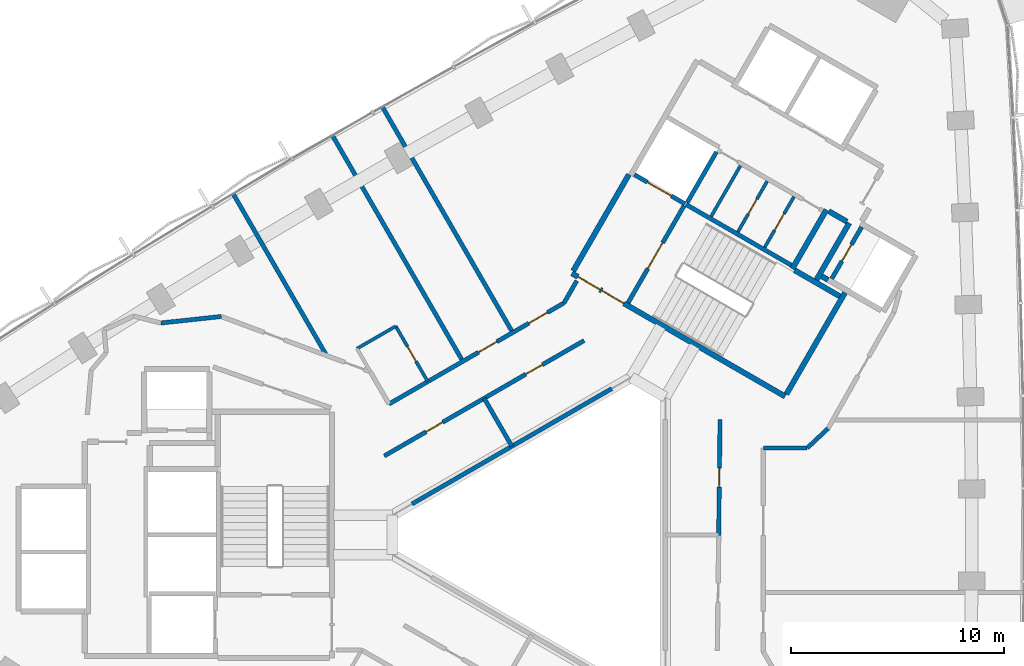
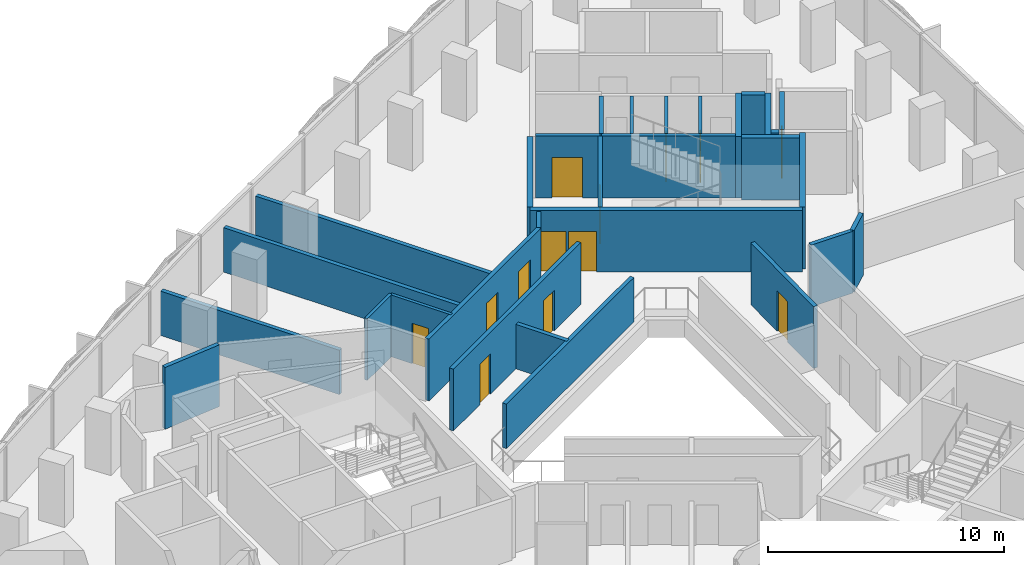
# One storey, part 10 of 14: 30 walls, 13 doors, 13 openings.
"""IFC4 building model written with IfcOpenShell, lengths in metres."""

from ifc_helpers import new_model, si_unit, direction, frame, frame_2d, origin, place, context, subcontext, project, spatial, rectangle, extrude, material, layer, layer_set, type_object, element, fill, save


model = new_model("IFC4")

# Units and contexts
model_context = context("Model", 3, precision=1e-05, world=origin(), true_north=direction((0.0, 1.0)))
body_context = subcontext(model_context, "Body", "Model", "MODEL_VIEW")
ifc_project = project(units=[si_unit("LENGTHUNIT", "METRE"), si_unit("AREAUNIT", "SQUARE_METRE"), si_unit("VOLUMEUNIT", "CUBIC_METRE"), si_unit("PLANEANGLEUNIT", "RADIAN"), si_unit("MASSUNIT", "GRAM", prefix="KILO")], contexts=[model_context])

# Site, building, storey
site_placement = place(None, origin())
site = spatial("IfcSite", under=ifc_project, at=site_placement, CompositionType="ELEMENT")
building_placement = place(site_placement, origin())
building = spatial("IfcBuilding", under=site, at=building_placement, Name="Tamra Quay Hotel Tower", CompositionType="ELEMENT")
storey_placement = place(building_placement, frame((0.0, 0.0, 146.800048828125)))
storey = spatial("IfcBuildingStorey", under=building, at=storey_placement, Name="L36", CompositionType="ELEMENT", Elevation=146.800048828125)

# Wall
ifc_material_1 = material(Name="Concrete M70", Category="concrete")
ifc_layer_1 = layer(ifc_material_1, 0.199951171875)
ifc_layer_set_1 = layer_set([ifc_layer_1], Name="Concrete M70 core wall 200")
wall_type_1 = type_object("IfcWallType", Name="Concrete M70 core wall 200", PredefinedType="SHEAR", material=ifc_layer_set_1)
wall_1_placement = place(storey_placement, frame((5.774658203125, 15.501953125, 0.0), z_axis=(0.0, 0.0, 1.0), x_axis=(0.866020080793, -0.500009219579, 0.0)))
element("IfcWall", 1, at=wall_1_placement, inside=storey, type_object=wall_type_1, Name="CW2", PredefinedType="SHEAR", context=body_context, shape_type="SweptSolid", body=[
    extrude(rectangle(XDim=5.69921875, YDim=0.199951171875, at=frame_2d((2.849609375, 0.0))), origin(), (0.0, 0.0, 1.0), 3.199951171875),
])

# Wall, opening, door
wall_2_placement = place(storey_placement, frame((3.056640625, 10.89453125, 0.0), z_axis=(0.0, 0.0, 1.0), x_axis=(0.499989418164, 0.866031513124, 0.0)))
wall_2 = element("IfcWall", 2, at=wall_2_placement, inside=storey, type_object=wall_type_1, Name="CW2", PredefinedType="SHEAR", context=body_context, shape_type="SweptSolid", body=[
    extrude(rectangle(XDim=5.2509765625, YDim=0.199951171875, at=frame_2d((2.62548828125, 0.0))), origin(), (0.0, 0.0, 1.0), 3.199951171875),
])
opening_1_placement = place(wall_2_placement, frame((1.84912109375, 0.0, 0.0)))
opening_1 = element("IfcOpeningElement", 3, at=opening_1_placement, cuts=wall_2, Name="Opening FD2", PredefinedType="OPENING", context=body_context, shape_type="SweptSolid", body=[
    extrude(rectangle(XDim=1.39990234375, YDim=2.10009765625, at=frame_2d((0.699951171875, 1.050048828125))), frame((0.0, 0.10986328125, 0.0), z_axis=(0.0, -1.0, 0.0), x_axis=(1.0, 0.0, 0.0)), (0.0, 0.0, 1.0), 0.219970703125),
])
ifc_material_2 = material(Name="Core door FD2 1400x2100 RH")
door_type_1 = type_object("IfcDoorType", Name="Core door FD2 1400x2100 RH", OperationType="NOTDEFINED", PredefinedType="DOOR", material=ifc_material_2)
door_1_placement = place(opening_1_placement, origin())
door_1 = element("IfcDoor", 4, at=door_1_placement, inside=storey, type_object=door_type_1, Name="FD2", OperationType="SINGLE_SWING_RIGHT", OverallHeight=2.10009765625, OverallWidth=1.39990234375, PredefinedType="DOOR", context=body_context, shape_type="SweptSolid", body=[
    extrude(rectangle(XDim=1.39990234375, YDim=2.10009765625, at=frame_2d((0.699951171875, 1.050048828125))), frame((0.0, 0.02490234375, 0.0), z_axis=(0.0, -1.0, 0.0), x_axis=(1.0, 0.0, 0.0)), (0.0, 0.0, 1.0), 0.050048828125),
])
fill(opening_1, door_1)

wall_3_placement = place(storey_placement, frame((14.0078125, 14.442138671875, 0.0), z_axis=(0.0, 0.0, 1.0), x_axis=(-0.499986818241, -0.866033014143, 0.0)))
wall_3 = element("IfcWall", 5, at=wall_3_placement, inside=storey, type_object=wall_type_1, Name="CW2", PredefinedType="SHEAR", context=body_context, shape_type="SweptSolid", body=[
    extrude(rectangle(XDim=2.7978515625, YDim=0.199951171875, at=frame_2d((1.39892578125, 0.0))), origin(), (0.0, 0.0, 1.0), 3.199951171875),
])
opening_2_placement = place(wall_3_placement, frame((0.948974609375, 0.0, 0.0)))
opening_2 = element("IfcOpeningElement", 6, at=opening_2_placement, cuts=wall_3, Name="Opening D1", PredefinedType="OPENING", context=body_context, shape_type="SweptSolid", body=[
    extrude(rectangle(XDim=0.89990234375, YDim=2.10009765625, at=frame_2d((0.449951171875, 1.050048828125))), frame((0.0, 0.10986328125, 0.0), z_axis=(0.0, -1.0, 0.0), x_axis=(1.0, 0.0, 0.0)), (0.0, 0.0, 1.0), 0.219970703125),
])
ifc_material_3 = material(Name="Core door D1 900x2100 LH")
door_type_2 = type_object("IfcDoorType", Name="Core door D1 900x2100 LH", OperationType="NOTDEFINED", PredefinedType="DOOR", material=ifc_material_3)
door_2_placement = place(opening_2_placement, origin())
door_2 = element("IfcDoor", 7, at=door_2_placement, inside=storey, type_object=door_type_2, Name="D1", OperationType="SINGLE_SWING_LEFT", OverallHeight=2.10009765625, OverallWidth=0.89990234375, PredefinedType="DOOR", context=body_context, shape_type="SweptSolid", body=[
    extrude(rectangle(XDim=0.89990234375, YDim=2.10009765625, at=frame_2d((0.449951171875, 1.050048828125))), frame((0.0, 0.02490234375, 0.0), z_axis=(0.0, -1.0, 0.0), x_axis=(1.0, 0.0, 0.0)), (0.0, 0.0, 1.0), 0.050048828125),
])
fill(opening_2, door_2)

# Wall
wall_4_placement = place(storey_placement, frame((7.199462890625, 17.969970703125, 0.0), z_axis=(0.0, 0.0, 1.0), x_axis=(-0.499968400327, -0.866043647095, 0.0)))
element("IfcWall", 8, at=wall_4_placement, inside=storey, type_object=wall_type_1, Name="CW2", PredefinedType="SHEAR", context=body_context, shape_type="SweptSolid", body=[
    extrude(rectangle(XDim=2.749755859375, YDim=0.199951171875, at=frame_2d((1.375, 0.0))), origin(), (0.0, 0.0, 1.0), 3.199951171875),
])

# Wall, opening, door
wall_5_placement = place(storey_placement, frame((5.72509765625, 15.530517578125, 0.0), z_axis=(0.0, 0.0, 1.0), x_axis=(-0.866037306777, 0.499979382845, 0.0)))
wall_5 = element("IfcWall", 9, at=wall_5_placement, inside=storey, type_object=wall_type_1, Name="CW2", PredefinedType="SHEAR", context=body_context, shape_type="SweptSolid", body=[
    extrude(rectangle(XDim=2.74169921875, YDim=0.199951171875, at=frame_2d((1.370849609375, 0.0))), origin(), (0.0, 0.0, 1.0), 3.199951171875),
])
opening_3_placement = place(wall_5_placement, frame((0.742919921875, 0.0, 0.0)))
opening_3 = element("IfcOpeningElement", 10, at=opening_3_placement, cuts=wall_5, Name="Opening LD", PredefinedType="OPENING", context=body_context, shape_type="SweptSolid", body=[
    extrude(rectangle(XDim=1.300048828125, YDim=2.10009765625, at=frame_2d((0.64990234375, 1.050048828125))), frame((0.0, 0.10986328125, 0.0), z_axis=(0.0, -1.0, 0.0), x_axis=(1.0, 0.0, 0.0)), (0.0, 0.0, 1.0), 0.219970703125),
])
ifc_material_4 = material(Name="Landing door LD 1300 sliding to right")
door_type_3 = type_object("IfcDoorType", Name="Landing door LD 1300 sliding to right", OperationType="NOTDEFINED", PredefinedType="DOOR", material=ifc_material_4)
door_3_placement = place(opening_3_placement, origin())
door_3 = element("IfcDoor", 11, at=door_3_placement, inside=storey, type_object=door_type_3, Name="LD", OperationType="SLIDING_TO_RIGHT", OverallHeight=2.10009765625, OverallWidth=1.300048828125, PredefinedType="DOOR", context=body_context, shape_type="SweptSolid", body=[
    extrude(rectangle(XDim=1.300048828125, YDim=2.10009765625, at=frame_2d((0.64990234375, 1.050048828125))), frame((0.0, 0.02490234375, 0.0), z_axis=(0.0, -1.0, 0.0), x_axis=(1.0, 0.0, 0.0)), (0.0, 0.0, 1.0), 0.050048828125),
])
fill(opening_3, door_3)

# Wall, openings, doors
ifc_layer_2 = layer(ifc_material_1, 0.25)
ifc_layer_set_2 = layer_set([ifc_layer_2], Name="Concrete M70 core wall 250")
wall_type_2 = type_object("IfcWallType", Name="Concrete M70 core wall 250", PredefinedType="SHEAR", material=ifc_layer_set_2)
wall_6_placement = place(storey_placement, frame((10.419921875, 6.497802734375, 0.0), z_axis=(0.0, 0.0, 1.0), x_axis=(-0.866021906294, 0.500006057782, 0.0)))
wall_6 = element("IfcWall", 12, at=wall_6_placement, inside=storey, type_object=wall_type_2, Name="CW1", PredefinedType="SHEAR", context=body_context, shape_type="SweptSolid", body=[
    extrude(rectangle(XDim=11.550048828125, YDim=0.25, at=frame_2d((5.77490234375, 0.0))), origin(), (0.0, 0.0, 1.0), 3.199951171875),
])
opening_4_placement = place(wall_6_placement, frame((10.02490234375, 0.0, 0.0)))
opening_4 = element("IfcOpeningElement", 13, at=opening_4_placement, cuts=wall_6, Name="Opening FD1", PredefinedType="OPENING", context=body_context, shape_type="SweptSolid", body=[
    extrude(rectangle(XDim=1.199951171875, YDim=2.10009765625, at=frame_2d((0.60009765625, 1.050048828125))), frame((0.0, 0.135009765625, 0.0), z_axis=(0.0, -1.0, 0.0), x_axis=(1.0, 0.0, 0.0)), (0.0, 0.0, 1.0), 0.27001953125),
])
opening_5_placement = place(wall_6_placement, frame((8.724853515625, 0.0, 0.0)))
opening_5 = element("IfcOpeningElement", 14, at=opening_5_placement, cuts=wall_6, Name="Opening FD1", PredefinedType="OPENING", context=body_context, shape_type="SweptSolid", body=[
    extrude(rectangle(XDim=1.199951171875, YDim=2.10009765625, at=frame_2d((0.60009765625, 1.050048828125))), frame((0.0, 0.135009765625, 0.0), z_axis=(0.0, -1.0, 0.0), x_axis=(1.0, 0.0, 0.0)), (0.0, 0.0, 1.0), 0.27001953125),
])
ifc_material_5 = material(Name="Core door FD1 1200x2100 LH")
door_type_4 = type_object("IfcDoorType", Name="Core door FD1 1200x2100 LH", OperationType="NOTDEFINED", PredefinedType="DOOR", material=ifc_material_5)
door_4_placement = place(opening_4_placement, origin())
door_4 = element("IfcDoor", 15, at=door_4_placement, inside=storey, type_object=door_type_4, Name="FD1", OperationType="SINGLE_SWING_LEFT", OverallHeight=2.10009765625, OverallWidth=1.199951171875, PredefinedType="DOOR", context=body_context, shape_type="SweptSolid", body=[
    extrude(rectangle(XDim=1.199951171875, YDim=2.10009765625, at=frame_2d((0.60009765625, 1.050048828125))), frame((0.0, 0.02490234375, 0.0), z_axis=(0.0, -1.0, 0.0), x_axis=(1.0, 0.0, 0.0)), (0.0, 0.0, 1.0), 0.050048828125),
])
fill(opening_4, door_4)
ifc_material_6 = material(Name="Core door FD1 1200x2100 RH")
door_type_5 = type_object("IfcDoorType", Name="Core door FD1 1200x2100 RH", OperationType="NOTDEFINED", PredefinedType="DOOR", material=ifc_material_6)
door_5_placement = place(opening_5_placement, origin())
door_5 = element("IfcDoor", 16, at=door_5_placement, inside=storey, type_object=door_type_5, Name="FD1", OperationType="SINGLE_SWING_RIGHT", OverallHeight=2.10009765625, OverallWidth=1.199951171875, PredefinedType="DOOR", context=body_context, shape_type="SweptSolid", body=[
    extrude(rectangle(XDim=1.199951171875, YDim=2.10009765625, at=frame_2d((0.60009765625, 1.050048828125))), frame((0.0, 0.02490234375, 0.0), z_axis=(0.0, -1.0, 0.0), x_axis=(1.0, 0.0, 0.0)), (0.0, 0.0, 1.0), 0.050048828125),
])
fill(opening_5, door_5)

# Walls
wall_7_placement = place(storey_placement, frame((0.47998046875, 12.38134765625, 0.0), z_axis=(0.0, 0.0, 1.0), x_axis=(0.49999885962, 0.866026062182, 0.0)))
element("IfcWall", 17, at=wall_7_placement, inside=storey, type_object=wall_type_2, Name="CW1", PredefinedType="SHEAR", context=body_context, shape_type="SweptSolid", body=[
    extrude(rectangle(XDim=5.224609375, YDim=0.25, at=frame_2d((2.6123046875, 0.0))), origin(), (0.0, 0.0, 1.0), 3.199951171875),
])
wall_8_placement = place(storey_placement, frame((13.237548828125, 11.3779296875, 0.0), z_axis=(0.0, 0.0, 1.0), x_axis=(-0.500008851346, -0.866020293397, 0.0)))
element("IfcWall", 18, at=wall_8_placement, inside=storey, type_object=wall_type_2, Name="CW1", PredefinedType="SHEAR", context=body_context, shape_type="SweptSolid", body=[
    extrude(rectangle(XDim=5.509765625, YDim=0.25, at=frame_2d((2.7548828125, 0.0))), origin(), (0.0, 0.0, 1.0), 3.199951171875),
])
wall_9_placement = place(storey_placement, frame((12.356689453125, 15.25244140625, 0.0), z_axis=(0.0, 0.0, 1.0), x_axis=(-0.500028443584, -0.866008981251, 0.0)))
element("IfcWall", 19, at=wall_9_placement, inside=storey, type_object=wall_type_2, Name="CW1", PredefinedType="SHEAR", context=body_context, shape_type="SweptSolid", body=[
    extrude(rectangle(XDim=3.199951171875, YDim=0.25, at=frame_2d((1.60009765625, 0.0))), origin(), (0.0, 0.0, 1.0), 3.199951171875),
])
wall_10_placement = place(storey_placement, frame((11.887939453125, 11.960693359375, 0.0), z_axis=(0.0, 0.0, 1.0), x_axis=(0.500003324108, 0.866023484601, 0.0)))
element("IfcWall", 20, at=wall_10_placement, inside=storey, type_object=wall_type_2, Name="CW1", PredefinedType="SHEAR", context=body_context, shape_type="SweptSolid", body=[
    extrude(rectangle(XDim=3.0849609375, YDim=0.25, at=frame_2d((1.54248046875, 0.0))), origin(), (0.0, 0.0, 1.0), 3.199951171875),
])
wall_11_placement = place(storey_placement, frame((10.865234375, 12.41845703125, 0.0), z_axis=(0.0, 0.0, 1.0), x_axis=(0.866026229868, -0.499998569178, 0.0)))
element("IfcWall", 21, at=wall_11_placement, inside=storey, type_object=wall_type_2, Name="CW1", PredefinedType="SHEAR", context=body_context, shape_type="SweptSolid", body=[
    extrude(rectangle(XDim=2.44921875, YDim=0.25, at=frame_2d((1.224609375, 0.0))), origin(), (0.0, 0.0, 1.0), 3.199951171875),
])
wall_12_placement = place(storey_placement, frame((13.322021484375, 14.695068359375, 0.0), z_axis=(0.0, 0.0, 1.0), x_axis=(-0.866017078145, 0.500014420154, 0.0)))
element("IfcWall", 22, at=wall_12_placement, inside=storey, type_object=wall_type_2, Name="CW1", PredefinedType="SHEAR", context=body_context, shape_type="SweptSolid", body=[
    extrude(rectangle(XDim=0.9892578125, YDim=0.25, at=frame_2d((0.49462890625, 0.0))), origin(), (0.0, 0.0, 1.0), 3.199951171875),
])
wall_13_placement = place(storey_placement, frame((12.4326171875, 11.9638671875, 0.0), z_axis=(0.0, 0.0, 1.0), x_axis=(-0.866055875208, 0.499947218231, 0.0)))
element("IfcWall", 23, at=wall_13_placement, inside=storey, type_object=wall_type_2, Name="CW1", PredefinedType="SHEAR", context=body_context, shape_type="SweptSolid", body=[
    extrude(rectangle(XDim=0.3447265625, YDim=0.25, at=frame_2d((0.17236328125, 0.0))), origin(), (0.0, 0.0, 1.0), 3.199951171875),
])

# Wall, opening, door
ifc_material_7 = material(Name="Blockwork", Category="masonry")
ifc_layer_3 = layer(ifc_material_7, 0.14990234375)
ifc_layer_set_3 = layer_set([ifc_layer_3], Name="Core partition block 150")
wall_type_3 = type_object("IfcWallType", Name="Core partition block 150", PredefinedType="PARTITIONING", material=ifc_layer_set_3)
wall_14_placement = place(storey_placement, frame((9.462158203125, 13.4892578125, 0.0), z_axis=(0.0, 0.0, 1.0), x_axis=(0.50002746344, 0.86600954718, 0.0)))
wall_14 = element("IfcWall", 24, at=wall_14_placement, inside=storey, type_object=wall_type_3, Name="CP1", PredefinedType="PARTITIONING", context=body_context, shape_type="SweptSolid", body=[
    extrude(rectangle(XDim=2.748291015625, YDim=0.14990234375, at=frame_2d((1.3740234375, 0.0))), origin(), (0.0, 0.0, 1.0), 3.199951171875),
])
opening_6_placement = place(wall_14_placement, frame((0.92431640625, 0.0, 0.0)))
opening_6 = element("IfcOpeningElement", 25, at=opening_6_placement, cuts=wall_14, Name="Opening D2", PredefinedType="OPENING", context=body_context, shape_type="SweptSolid", body=[
    extrude(rectangle(XDim=0.89990234375, YDim=2.10009765625, at=frame_2d((0.449951171875, 1.050048828125))), frame((0.0, 0.0849609375, 0.0), z_axis=(0.0, -1.0, 0.0), x_axis=(1.0, 0.0, 0.0)), (0.0, 0.0, 1.0), 0.169921875),
])
ifc_material_8 = material(Name="Core door D2 900x2100 RH")
door_type_6 = type_object("IfcDoorType", Name="Core door D2 900x2100 RH", OperationType="NOTDEFINED", PredefinedType="DOOR", material=ifc_material_8)
door_6_placement = place(opening_6_placement, origin())
door_6 = element("IfcDoor", 26, at=door_6_placement, inside=storey, type_object=door_type_6, Name="D2", OperationType="SINGLE_SWING_RIGHT", OverallHeight=2.10009765625, OverallWidth=0.89990234375, PredefinedType="DOOR", context=body_context, shape_type="SweptSolid", body=[
    extrude(rectangle(XDim=0.89990234375, YDim=2.10009765625, at=frame_2d((0.449951171875, 1.050048828125))), frame((0.0, 0.02490234375, 0.0), z_axis=(0.0, -1.0, 0.0), x_axis=(1.0, 0.0, 0.0)), (0.0, 0.0, 1.0), 0.050048828125),
])
fill(opening_6, door_6)

wall_15_placement = place(storey_placement, frame((8.20654296875, 14.214111328125, 0.0), z_axis=(0.0, 0.0, 1.0), x_axis=(0.499922376475, 0.866070215109, 0.0)))
wall_15 = element("IfcWall", 27, at=wall_15_placement, inside=storey, type_object=wall_type_3, Name="CP1", PredefinedType="PARTITIONING", context=body_context, shape_type="SweptSolid", body=[
    extrude(rectangle(XDim=2.74853515625, YDim=0.14990234375, at=frame_2d((1.374267578125, 0.0))), origin(), (0.0, 0.0, 1.0), 3.199951171875),
])
opening_7_placement = place(wall_15_placement, frame((0.97412109375, 0.0, 0.0)))
opening_7 = element("IfcOpeningElement", 28, at=opening_7_placement, cuts=wall_15, Name="Opening D3", PredefinedType="OPENING", context=body_context, shape_type="SweptSolid", body=[
    extrude(rectangle(XDim=0.800048828125, YDim=2.10009765625, at=frame_2d((0.39990234375, 1.050048828125))), frame((0.0, 0.0849609375, 0.0), z_axis=(0.0, -1.0, 0.0), x_axis=(1.0, 0.0, 0.0)), (0.0, 0.0, 1.0), 0.169921875),
])
ifc_material_9 = material(Name="Core door D3 800x2100 LH")
door_type_7 = type_object("IfcDoorType", Name="Core door D3 800x2100 LH", OperationType="NOTDEFINED", PredefinedType="DOOR", material=ifc_material_9)
door_7_placement = place(opening_7_placement, origin())
door_7 = element("IfcDoor", 29, at=door_7_placement, inside=storey, type_object=door_type_7, Name="D3", OperationType="SINGLE_SWING_LEFT", OverallHeight=2.10009765625, OverallWidth=0.800048828125, PredefinedType="DOOR", context=body_context, shape_type="SweptSolid", body=[
    extrude(rectangle(XDim=0.800048828125, YDim=2.10009765625, at=frame_2d((0.39990234375, 1.050048828125))), frame((0.0, 0.02490234375, 0.0), z_axis=(0.0, -1.0, 0.0), x_axis=(1.0, 0.0, 0.0)), (0.0, 0.0, 1.0), 0.050048828125),
])
fill(opening_7, door_7)

# Walls
wall_16_placement = place(storey_placement, frame((6.95068359375, 14.939208984375, 0.0), z_axis=(0.0, 0.0, 1.0), x_axis=(0.50002746344, 0.86600954718, 0.0)))
element("IfcWall", 30, at=wall_16_placement, inside=storey, type_object=wall_type_3, Name="CP1", PredefinedType="PARTITIONING", context=body_context, shape_type="SweptSolid", body=[
    extrude(rectangle(XDim=2.748291015625, YDim=0.14990234375, at=frame_2d((1.3740234375, 0.0))), origin(), (0.0, 0.0, 1.0), 3.199951171875),
])
ifc_material_10 = material(Name="Partition corridor wall")
ifc_layer_4 = layer(ifc_material_10, 0.199951171875)
ifc_layer_set_4 = layer_set([ifc_layer_4], Name="Partition corridor wall")
wall_type_4 = type_object("IfcWallType", Name="Partition corridor wall", PredefinedType="PARTITIONING", material=ifc_layer_set_4)
wall_17_placement = place(storey_placement, frame((-18.864990234375, 9.94091796875, 0.0), z_axis=(0.0, 0.0, 1.0), x_axis=(0.99423123086, 0.107257911519, 0.0)))
element("IfcWall", 31, at=wall_17_placement, inside=storey, type_object=wall_type_4, Name="W-C", PredefinedType="PARTITIONING", context=body_context, shape_type="SweptSolid", body=[
    extrude(rectangle(XDim=2.854248046875, YDim=0.199951171875, at=frame_2d((1.42724609375, 0.0))), origin(), (0.0, 0.0, 1.0), 3.199951171875),
])

# Wall, openings, doors
wall_18_placement = place(storey_placement, frame((-8.382080078125, 3.705078125, 0.0), z_axis=(0.0, 0.0, 1.0), x_axis=(0.866012036978, 0.500023151273, 0.0)))
wall_18 = element("IfcWall", 32, at=wall_18_placement, inside=storey, type_object=wall_type_4, Name="W-C", PredefinedType="PARTITIONING", context=body_context, shape_type="SweptSolid", body=[
    extrude(rectangle(XDim=10.8232421875, YDim=0.199951171875, at=frame_2d((5.41162109375, 0.0))), origin(), (0.0, 0.0, 1.0), 3.199951171875),
])
opening_8_placement = place(wall_18_placement, frame((7.661376953125, 0.0, 0.0)))
opening_8 = element("IfcOpeningElement", 33, at=opening_8_placement, cuts=wall_18, Name="Opening L36-D020", PredefinedType="OPENING", context=body_context, shape_type="SweptSolid", body=[
    extrude(rectangle(XDim=0.89990234375, YDim=2.10009765625, at=frame_2d((0.449951171875, 1.050048828125))), frame((0.0, 0.10986328125, 0.0), z_axis=(0.0, -1.0, 0.0), x_axis=(1.0, 0.0, 0.0)), (0.0, 0.0, 1.0), 0.219970703125),
])
opening_9_placement = place(wall_18_placement, frame((2.261474609375, 0.0, 0.0)))
opening_9 = element("IfcOpeningElement", 34, at=opening_9_placement, cuts=wall_18, Name="Opening L36-D021", PredefinedType="OPENING", context=body_context, shape_type="SweptSolid", body=[
    extrude(rectangle(XDim=0.89990234375, YDim=2.10009765625, at=frame_2d((0.449951171875, 1.050048828125))), frame((0.0, 0.10986328125, 0.0), z_axis=(0.0, -1.0, 0.0), x_axis=(1.0, 0.0, 0.0)), (0.0, 0.0, 1.0), 0.219970703125),
])
ifc_material_11 = material(Name="Door service room 900x2100")
door_type_8 = type_object("IfcDoorType", Name="Door service room 900x2100", OperationType="NOTDEFINED", PredefinedType="DOOR", material=ifc_material_11)
door_8_placement = place(opening_8_placement, frame((0.89990234375, 0.0, 0.0), z_axis=(0.0, 0.0, 1.0), x_axis=(-1.0, 0.0, 0.0)))
door_8 = element("IfcDoor", 35, at=door_8_placement, inside=storey, type_object=door_type_8, Name="L36-D020", OperationType="SINGLE_SWING_LEFT", OverallHeight=2.10009765625, OverallWidth=0.89990234375, PredefinedType="DOOR", context=body_context, shape_type="SweptSolid", body=[
    extrude(rectangle(XDim=0.89990234375, YDim=2.10009765625, at=frame_2d((0.449951171875, 1.050048828125))), frame((0.0, 0.02490234375, 0.0), z_axis=(0.0, -1.0, 0.0), x_axis=(1.0, 0.0, 0.0)), (0.0, 0.0, 1.0), 0.050048828125),
])
fill(opening_8, door_8)
door_9_placement = place(opening_9_placement, frame((0.89990234375, 0.0, 0.0), z_axis=(0.0, 0.0, 1.0), x_axis=(-1.0, 0.0, 0.0)))
door_9 = element("IfcDoor", 36, at=door_9_placement, inside=storey, type_object=door_type_8, Name="L36-D021", OperationType="SINGLE_SWING_LEFT", OverallHeight=2.10009765625, OverallWidth=0.89990234375, PredefinedType="DOOR", context=body_context, shape_type="SweptSolid", body=[
    extrude(rectangle(XDim=0.89990234375, YDim=2.10009765625, at=frame_2d((0.449951171875, 1.050048828125))), frame((0.0, 0.02490234375, 0.0), z_axis=(0.0, -1.0, 0.0), x_axis=(1.0, 0.0, 0.0)), (0.0, 0.0, 1.0), 0.050048828125),
])
fill(opening_9, door_9)

wall_19_placement = place(storey_placement, frame((-8.16064453125, 6.1416015625, 0.0), z_axis=(0.0, 0.0, 1.0), x_axis=(0.865927304867, 0.500169873828, 0.0)))
wall_19 = element("IfcWall", 37, at=wall_19_placement, inside=storey, type_object=wall_type_4, Name="W-C", PredefinedType="PARTITIONING", context=body_context, shape_type="SweptSolid", body=[
    extrude(rectangle(XDim=9.477783203125, YDim=0.199951171875, at=frame_2d((4.73876953125, 0.0))), origin(), (0.0, 0.0, 1.0), 3.199951171875),
])
opening_10_placement = place(wall_19_placement, frame((4.851318359375, 0.0, 0.0)))
opening_10 = element("IfcOpeningElement", 38, at=opening_10_placement, cuts=wall_19, Name="Opening L36-D004", PredefinedType="OPENING", context=body_context, shape_type="SweptSolid", body=[
    extrude(rectangle(XDim=1.0, YDim=2.10009765625, at=frame_2d((0.5, 1.050048828125))), frame((0.0, 0.10986328125, 0.0), z_axis=(0.0, -1.0, 0.0), x_axis=(1.0, 0.0, 0.0)), (0.0, 0.0, 1.0), 0.219970703125),
])
opening_11_placement = place(wall_19_placement, frame((7.58349609375, 0.0, 0.0)))
opening_11 = element("IfcOpeningElement", 39, at=opening_11_placement, cuts=wall_19, Name="Opening L36-D005", PredefinedType="OPENING", context=body_context, shape_type="SweptSolid", body=[
    extrude(rectangle(XDim=1.0, YDim=2.10009765625, at=frame_2d((0.5, 1.050048828125))), frame((0.0, 0.10986328125, 0.0), z_axis=(0.0, -1.0, 0.0), x_axis=(1.0, 0.0, 0.0)), (0.0, 0.0, 1.0), 0.219970703125),
])
ifc_material_12 = material(Name="Door guest room 1000x2100")
door_type_9 = type_object("IfcDoorType", Name="Door guest room 1000x2100", OperationType="NOTDEFINED", PredefinedType="DOOR", material=ifc_material_12)
door_10_placement = place(opening_10_placement, origin())
door_10 = element("IfcDoor", 40, at=door_10_placement, inside=storey, type_object=door_type_9, Name="L36-D004", OperationType="SINGLE_SWING_LEFT", OverallHeight=2.10009765625, OverallWidth=1.0, PredefinedType="DOOR", context=body_context, shape_type="SweptSolid", body=[
    extrude(rectangle(XDim=1.0, YDim=2.10009765625, at=frame_2d((0.5, 1.050048828125))), frame((0.0, 0.02490234375, 0.0), z_axis=(0.0, -1.0, 0.0), x_axis=(1.0, 0.0, 0.0)), (0.0, 0.0, 1.0), 0.050048828125),
])
fill(opening_10, door_10)
door_11_placement = place(opening_11_placement, origin())
door_11 = element("IfcDoor", 41, at=door_11_placement, inside=storey, type_object=door_type_9, Name="L36-D005", OperationType="SINGLE_SWING_LEFT", OverallHeight=2.10009765625, OverallWidth=1.0, PredefinedType="DOOR", context=body_context, shape_type="SweptSolid", body=[
    extrude(rectangle(XDim=1.0, YDim=2.10009765625, at=frame_2d((0.5, 1.050048828125))), frame((0.0, 0.02490234375, 0.0), z_axis=(0.0, -1.0, 0.0), x_axis=(1.0, 0.0, 0.0)), (0.0, 0.0, 1.0), 0.050048828125),
])
fill(opening_11, door_11)

# Wall
wall_20_placement = place(storey_placement, frame((0.047119140625, 10.881103515625, 0.0), z_axis=(0.0, 0.0, 1.0), x_axis=(0.500038011057, 0.866003456978, 0.0)))
element("IfcWall", 42, at=wall_20_placement, inside=storey, type_object=wall_type_4, Name="W-C", PredefinedType="PARTITIONING", context=body_context, shape_type="SweptSolid", body=[
    extrude(rectangle(XDim=1.20556640625, YDim=0.199951171875, at=frame_2d((0.602783203125, 0.0))), origin(), (0.0, 0.0, 1.0), 3.199951171875),
])

# Wall, opening, door
wall_21_placement = place(storey_placement, frame((7.304931640625, -0.01708984375, 0.0), z_axis=(0.0, 0.0, 1.0), x_axis=(0.01179195138, 0.999930472524, 0.0)))
wall_21 = element("IfcWall", 43, at=wall_21_placement, inside=storey, type_object=wall_type_4, Name="W-C", PredefinedType="PARTITIONING", context=body_context, shape_type="SweptSolid", body=[
    extrude(rectangle(XDim=5.424560546875, YDim=0.199951171875, at=frame_2d((2.71240234375, 0.0))), origin(), (0.0, 0.0, 1.0), 3.199951171875),
])
opening_12_placement = place(wall_21_placement, frame((2.26220703125, 0.0, 0.0)))
opening_12 = element("IfcOpeningElement", 44, at=opening_12_placement, cuts=wall_21, Name="Opening L36-D019", PredefinedType="OPENING", context=body_context, shape_type="SweptSolid", body=[
    extrude(rectangle(XDim=0.89990234375, YDim=2.10009765625, at=frame_2d((0.449951171875, 1.050048828125))), frame((0.0, 0.10986328125, 0.0), z_axis=(0.0, -1.0, 0.0), x_axis=(1.0, 0.0, 0.0)), (0.0, 0.0, 1.0), 0.219970703125),
])
door_12_placement = place(opening_12_placement, origin())
door_12 = element("IfcDoor", 45, at=door_12_placement, inside=storey, type_object=door_type_8, Name="L36-D019", OperationType="SINGLE_SWING_LEFT", OverallHeight=2.10009765625, OverallWidth=0.89990234375, PredefinedType="DOOR", context=body_context, shape_type="SweptSolid", body=[
    extrude(rectangle(XDim=0.89990234375, YDim=2.10009765625, at=frame_2d((0.449951171875, 1.050048828125))), frame((0.0, 0.02490234375, 0.0), z_axis=(0.0, -1.0, 0.0), x_axis=(1.0, 0.0, 0.0)), (0.0, 0.0, 1.0), 0.050048828125),
])
fill(opening_12, door_12)

# Walls
wall_22_placement = place(storey_placement, frame((9.39990234375, 4.077880859375, 0.0), z_axis=(0.0, 0.0, 1.0), x_axis=(1.0, 0.0, 0.0)))
element("IfcWall", 46, at=wall_22_placement, inside=storey, type_object=wall_type_4, Name="W-C", PredefinedType="PARTITIONING", context=body_context, shape_type="SweptSolid", body=[
    extrude(rectangle(XDim=2.05712890625, YDim=0.199951171875, at=frame_2d((1.028564453125, 0.0))), origin(), (0.0, 0.0, 1.0), 3.199951171875),
])
wall_23_placement = place(storey_placement, frame((11.4580078125, 4.077880859375, 0.0), z_axis=(0.0, 0.0, 1.0), x_axis=(0.729936032318, 0.683515463412, 0.0)))
element("IfcWall", 47, at=wall_23_placement, inside=storey, type_object=wall_type_4, Name="W-C", PredefinedType="PARTITIONING", context=body_context, shape_type="SweptSolid", body=[
    extrude(rectangle(XDim=1.3359375, YDim=0.199951171875, at=frame_2d((0.66796875, 0.0))), origin(), (0.0, 0.0, 1.0), 3.199951171875),
])
ifc_material_13 = material(Name="Partition en-suite wall")
ifc_layer_5 = layer(ifc_material_13, 0.14990234375)
ifc_layer_set_5 = layer_set([ifc_layer_5], Name="Partition en-suite wall")
wall_type_5 = type_object("IfcWallType", Name="Partition en-suite wall", PredefinedType="PARTITIONING", material=ifc_layer_set_5)
wall_24_placement = place(storey_placement, frame((-9.660888671875, 8.739990234375, 0.0), z_axis=(0.0, 0.0, 1.0), x_axis=(0.865922159541, 0.500178781653, 0.0)))
element("IfcWall", 48, at=wall_24_placement, inside=storey, type_object=wall_type_5, Name="W-E", PredefinedType="PARTITIONING", context=body_context, shape_type="SweptSolid", body=[
    extrude(rectangle(XDim=2.099365234375, YDim=0.14990234375, at=frame_2d((1.0498046875, 0.0))), origin(), (0.0, 0.0, 1.0), 3.199951171875),
])

# Wall, opening, door
wall_25_placement = place(storey_placement, frame((-7.843017578125, 9.7900390625, 0.0), z_axis=(0.0, 0.0, 1.0), x_axis=(0.500234218456, -0.865890135459, 0.0)))
wall_25 = element("IfcWall", 49, at=wall_25_placement, inside=storey, type_object=wall_type_5, Name="W-E", PredefinedType="PARTITIONING", context=body_context, shape_type="SweptSolid", body=[
    extrude(rectangle(XDim=3.00048828125, YDim=0.14990234375, at=frame_2d((1.500244140625, 0.0))), origin(), (0.0, 0.0, 1.0), 3.199951171875),
])
opening_13_placement = place(wall_25_placement, frame((1.10009765625, 0.0, 0.0)))
opening_13 = element("IfcOpeningElement", 50, at=opening_13_placement, cuts=wall_25, Name="Opening L36-D007", PredefinedType="OPENING", context=body_context, shape_type="SweptSolid", body=[
    extrude(rectangle(XDim=0.800048828125, YDim=2.10009765625, at=frame_2d((0.39990234375, 1.050048828125))), frame((0.0, 0.0849609375, 0.0), z_axis=(0.0, -1.0, 0.0), x_axis=(1.0, 0.0, 0.0)), (0.0, 0.0, 1.0), 0.169921875),
])
ifc_material_14 = material(Name="Door en-suite 800x2100")
door_type_10 = type_object("IfcDoorType", Name="Door en-suite 800x2100", OperationType="NOTDEFINED", PredefinedType="DOOR", material=ifc_material_14)
door_13_placement = place(opening_13_placement, frame((0.800048828125, 0.0, 0.0), z_axis=(0.0, 0.0, 1.0), x_axis=(-1.0, 0.0, 0.0)))
door_13 = element("IfcDoor", 51, at=door_13_placement, inside=storey, type_object=door_type_10, Name="L36-D007", OperationType="SINGLE_SWING_LEFT", OverallHeight=2.10009765625, OverallWidth=0.800048828125, PredefinedType="DOOR", context=body_context, shape_type="SweptSolid", body=[
    extrude(rectangle(XDim=0.800048828125, YDim=2.10009765625, at=frame_2d((0.39990234375, 1.050048828125))), frame((0.0, 0.02490234375, 0.0), z_axis=(0.0, -1.0, 0.0), x_axis=(1.0, 0.0, 0.0)), (0.0, 0.0, 1.0), 0.050048828125),
])
fill(opening_13, door_13)

# Walls
ifc_material_15 = material(Name="Partition party wall")
ifc_layer_6 = layer(ifc_material_15, 0.199951171875)
ifc_layer_set_6 = layer_set([ifc_layer_6], Name="Partition party wall")
wall_type_6 = type_object("IfcWallType", Name="Partition party wall", PredefinedType="PARTITIONING", material=ifc_layer_set_6)
wall_26_placement = place(storey_placement, frame((-15.466552734375, 15.998046875, 0.0), z_axis=(0.0, 0.0, 1.0), x_axis=(0.500003998589, -0.866023095186, 0.0)))
element("IfcWall", 52, at=wall_26_placement, inside=storey, type_object=wall_type_6, Name="W-P", PredefinedType="PARTITIONING", context=body_context, shape_type="SweptSolid", body=[
    extrude(rectangle(XDim=8.75732421875, YDim=0.199951171875, at=frame_2d((4.378662109375, 0.0))), origin(), (0.0, 0.0, 1.0), 2.300048828125),
])
wall_27_placement = place(storey_placement, frame((-10.809326171875, 18.7314453125, 0.0), z_axis=(0.0, 0.0, 1.0), x_axis=(0.500004774777, -0.866022647048, 0.0)))
element("IfcWall", 53, at=wall_27_placement, inside=storey, type_object=wall_type_6, Name="W-P", PredefinedType="PARTITIONING", context=body_context, shape_type="SweptSolid", body=[
    extrude(rectangle(XDim=12.2265625, YDim=0.199951171875, at=frame_2d((6.11328125, 0.0))), origin(), (0.0, 0.0, 1.0), 2.300048828125),
])
wall_28_placement = place(storey_placement, frame((-8.467529296875, 20.076171875, 0.0), z_axis=(0.0, 0.0, 1.0), x_axis=(0.499961688474, -0.866047521824, 0.0)))
element("IfcWall", 54, at=wall_28_placement, inside=storey, type_object=wall_type_6, Name="W-P", PredefinedType="PARTITIONING", context=body_context, shape_type="SweptSolid", body=[
    extrude(rectangle(XDim=12.22021484375, YDim=0.199951171875, at=frame_2d((6.110107421875, 0.0))), origin(), (0.0, 0.0, 1.0), 2.300048828125),
])
wall_29_placement = place(storey_placement, frame((-7.08154296875, 1.453369140625, 0.0), z_axis=(0.0, 0.0, 1.0), x_axis=(0.866010525116, 0.500025769724, 0.0)))
element("IfcWall", 55, at=wall_29_placement, inside=storey, type_object=wall_type_6, Name="W-P", PredefinedType="PARTITIONING", context=body_context, shape_type="SweptSolid", body=[
    extrude(rectangle(XDim=10.82275390625, YDim=0.199951171875, at=frame_2d((5.411376953125, 0.0))), origin(), (0.0, 0.0, 1.0), 2.300048828125),
])
wall_30_placement = place(storey_placement, frame((-3.696044921875, 6.410888671875, 0.0), z_axis=(0.0, 0.0, 1.0), x_axis=(0.500006934395, -0.866021400173, 0.0)))
element("IfcWall", 56, at=wall_30_placement, inside=storey, type_object=wall_type_6, Name="W-P", PredefinedType="PARTITIONING", context=body_context, shape_type="SweptSolid", body=[
    extrude(rectangle(XDim=2.60009765625, YDim=0.199951171875, at=frame_2d((1.300048828125, 0.0))), origin(), (0.0, 0.0, 1.0), 2.300048828125),
])

save(model, "model.ifc")
